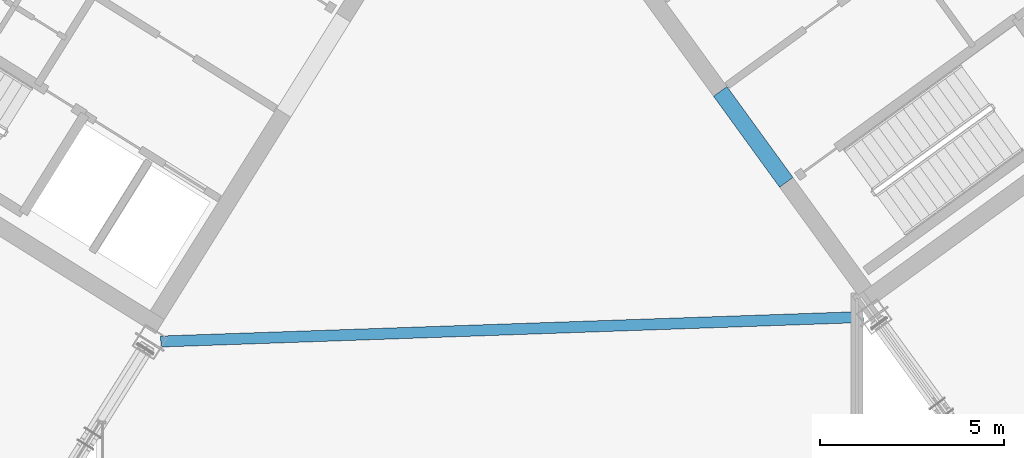
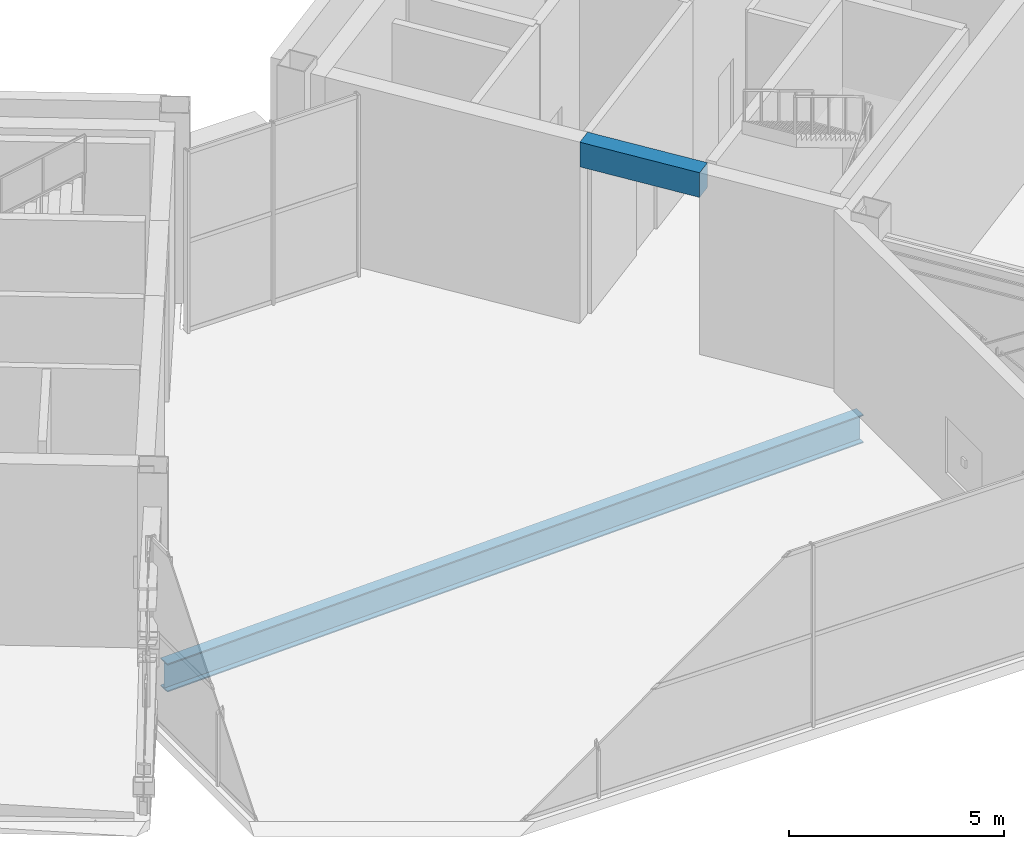
# One storey, part 9 of 32: 2 beams.
"""IFC4 building model written with IfcOpenShell, lengths in metres."""

from ifc_helpers import new_model, si_unit, direction, frame, origin, origin_2d, place, context, subcontext, project, spatial, rectangle, i_section, extrude, source, transform, mapped, material, material_profile, profile_set, type_object, element, save


model = new_model("IFC4")

# Units and contexts
model_context = context("Model", 3, precision=1e-05, world=origin(), true_north=direction((0.0, 1.0)))
body_context = subcontext(model_context, "Body", "Model", "MODEL_VIEW")
ifc_project = project(units=[si_unit("LENGTHUNIT", "METRE"), si_unit("AREAUNIT", "SQUARE_METRE"), si_unit("VOLUMEUNIT", "CUBIC_METRE"), si_unit("PLANEANGLEUNIT", "RADIAN"), si_unit("MASSUNIT", "GRAM", prefix="KILO")], contexts=[model_context])

# Site, building, storey
site_placement = place(None, origin())
site = spatial("IfcSite", under=ifc_project, at=site_placement, CompositionType="ELEMENT")
building_placement = place(site_placement, origin())
building = spatial("IfcBuilding", under=site, at=building_placement, Name="Tlacorven Tower", CompositionType="ELEMENT")
storey_placement = place(building_placement, frame((0.0, 0.0, 245.699951171875)))
storey = spatial("IfcBuildingStorey", under=building, at=storey_placement, Name="L62", CompositionType="ELEMENT", Elevation=245.699951171875)

# Beams
ifc_material_1 = material(Name="Concrete C60/75", Category="concrete")
ifc_material_profile_1 = material_profile(ifc_material_1, rectangle(XDim=0.449951171875, YDim=0.699951171875, at=origin_2d()), Name="RC 450X700")
ifc_profile_set_1 = profile_set([ifc_material_profile_1], Name="Concrete C60/75")
beam_type_1 = type_object("IfcBeamType", Name="BM-LNT-700", PredefinedType="LINTEL", material=ifc_profile_set_1)
shared_shape_1 = source(origin(), body_context, "Body", "SweptSolid", [
    extrude(rectangle(XDim=0.449951171875, YDim=0.699951171875, at=origin_2d()), origin(), (0.0, 0.0, 1.0), 3.050048828125),
])
beam_1_placement = place(storey_placement, frame((50.318359375, 16.416015625, 4.800048828125), z_axis=(-0.587776590479, 0.80902328748, 0.0), x_axis=(-0.80902328748, -0.587776590479, 0.0)))
element("IfcBeam", 1, at=beam_1_placement, inside=storey, type_object=beam_type_1, Name="L62 E core coupling lintel beam E1", PredefinedType="LINTEL", context=body_context, shape_type="MappedRepresentation", body=[
    mapped(shared_shape_1, transform((0.0, 0.0, 0.0), scale=1.0)),
])
ifc_material_2 = material(Name="Steel S355J2", Category="steel")
ifc_material_profile_2 = material_profile(ifc_material_2, i_section(OverallWidth=0.300048828125, OverallDepth=0.800048828125, WebThickness=0.017578125, FlangeThickness=0.032958984375, at=origin_2d()), Name="HEB 800")
ifc_profile_set_2 = profile_set([ifc_material_profile_2], Name="Steel S355J2")
beam_type_2 = type_object("IfcBeamType", Name="BM-POD-800", PredefinedType="BEAM", material=ifc_profile_set_2)
shared_shape_2 = source(origin(), body_context, "Body", "SweptSolid", [
    extrude(i_section(OverallWidth=0.300048828125, OverallDepth=0.800048828125, WebThickness=0.017578125, FlangeThickness=0.032958984375, at=origin_2d()), origin(), (0.0, 0.0, 1.0), 19.0712890625),
])
beam_2_placement = place(storey_placement, frame((33.345947265625, 12.097412109375, -0.679931640625), z_axis=(0.999390913919, 0.034897008138, 0.0), x_axis=(-0.034897008138, 0.999390913919, 0.0)))
element("IfcBeam", 2, at=beam_2_placement, inside=storey, type_object=beam_type_2, Name="L62 Knuckle Link Girder 2", PredefinedType="BEAM", context=body_context, shape_type="MappedRepresentation", body=[
    mapped(shared_shape_2, transform((0.0, 0.0, 0.0), scale=1.0)),
])

save(model, "model.ifc")
